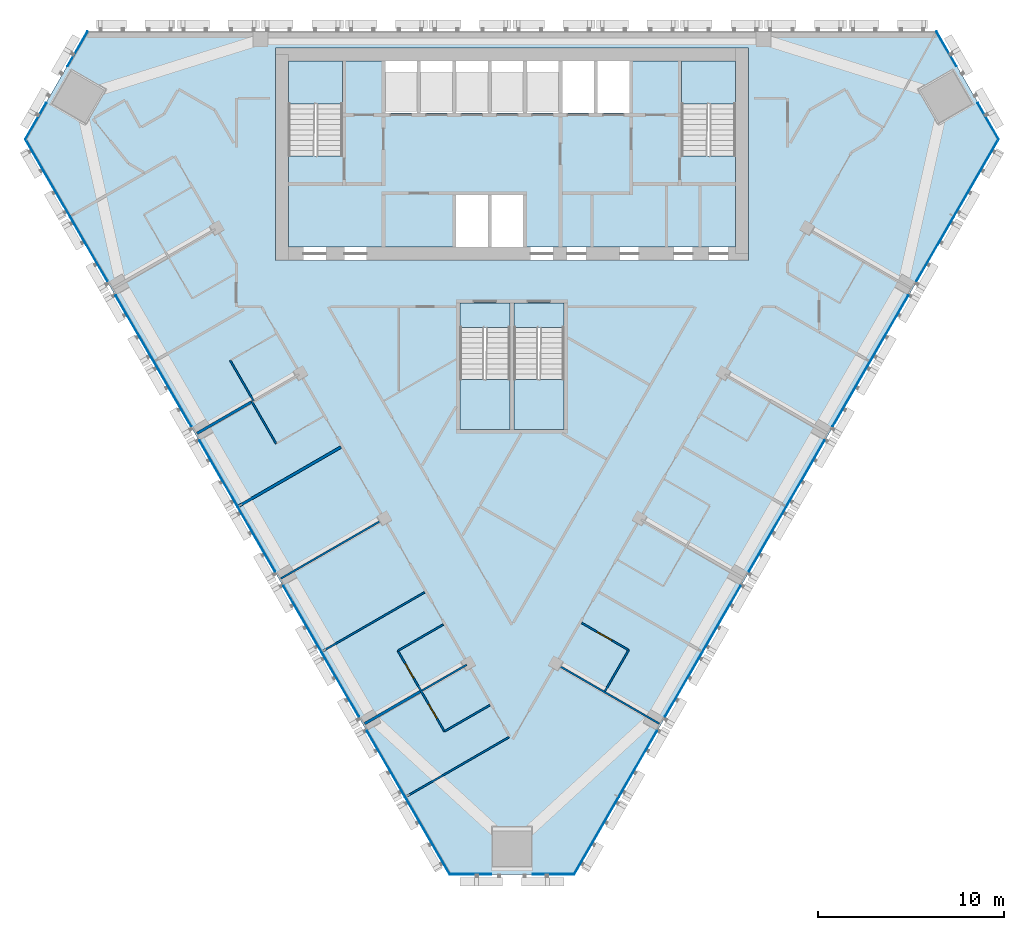
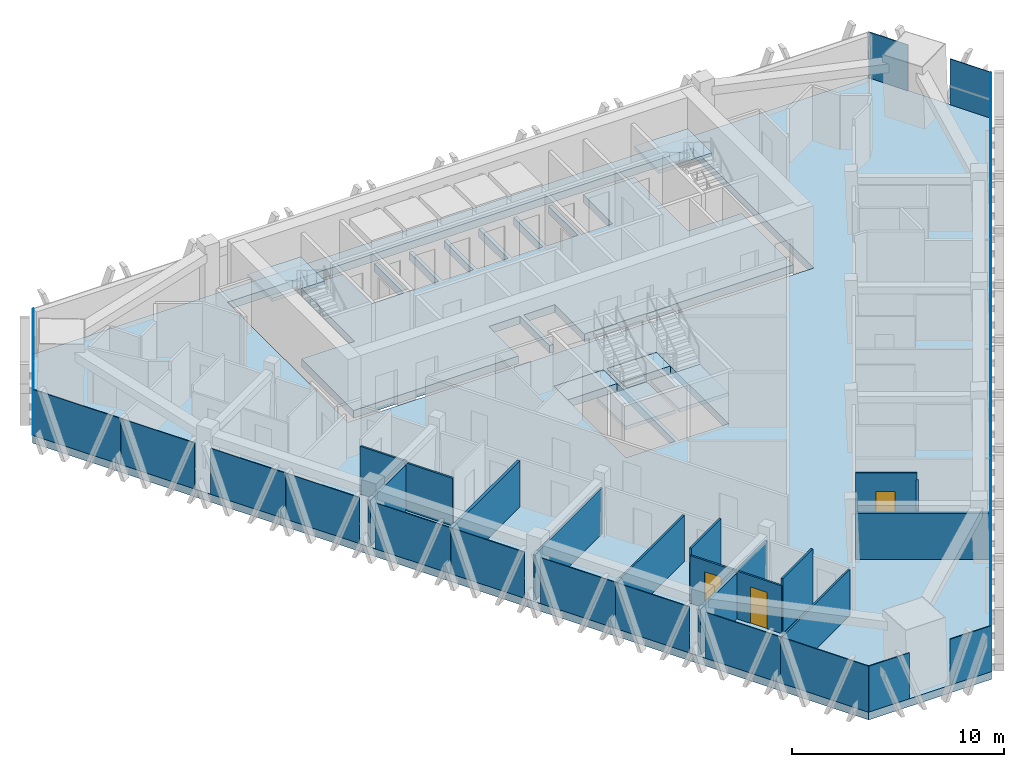
# One storey, part 8 of 16: 26 plates, 15 walls, 8 slabs, 3 doors, 3 openings, 9 elements without a shape of their own.
"""IFC4 building model written with IfcOpenShell, lengths in metres."""

from ifc_helpers import new_model, si_unit, direction, frame, frame_2d, origin, origin_2d, place, context, subcontext, project, spatial, polyline, rectangle, outline, extrude, material, layer, layer_set, type_object, element, fill, aggregate, save


model = new_model("IFC4")

# Units and contexts
model_context = context("Model", 3, precision=1e-05, world=origin(), true_north=direction((0.0, 1.0)))
body_context = subcontext(model_context, "Body", "Model", "MODEL_VIEW")
ifc_project = project(units=[si_unit("LENGTHUNIT", "METRE"), si_unit("AREAUNIT", "SQUARE_METRE"), si_unit("VOLUMEUNIT", "CUBIC_METRE"), si_unit("PLANEANGLEUNIT", "RADIAN"), si_unit("MASSUNIT", "GRAM", prefix="KILO")], contexts=[model_context])

# Site, building, storey
site_placement = place(None, origin())
site = spatial("IfcSite", under=ifc_project, at=site_placement, CompositionType="ELEMENT")
building_placement = place(site_placement, origin())
building = spatial("IfcBuilding", under=site, at=building_placement, Name="Altiplano Prism Tower", CompositionType="ELEMENT")
storey_placement = place(building_placement, frame((0.0, 0.0, 181.800048828125)))
storey = spatial("IfcBuildingStorey", under=building, at=storey_placement, Name="L47", CompositionType="ELEMENT", Elevation=181.800048828125)

# Curtain wall, plates
ifc_material_1 = material(Name="Aluminium and glass", Category="aluminium")
ifc_layer_1 = layer(ifc_material_1, 0.280029296875)
ifc_layer_set_1 = layer_set([ifc_layer_1], Name="Aluminium and glass")
curtain_wall_type = type_object("IfcCurtainWallType", Name="CW1 typical co-living unitised curtain wall", PredefinedType="NOTDEFINED", material=ifc_layer_set_1)
curtain_wall_1_placement = place(storey_placement, origin())
curtain_wall_1 = element("IfcCurtainWall", 1, at=curtain_wall_1_placement, inside=storey, type_object=curtain_wall_type, Name="CW1 curtain wall north-west chamfer L47", PredefinedType="NOTDEFINED")
ifc_material_2 = material(Name="Clear glass", Category="glass")
ifc_layer_2 = layer(ifc_material_2, 0.0400390625)
ifc_layer_set_2 = layer_set([ifc_layer_2], Name="Clear glass")
plate_type = type_object("IfcPlateType", Name="CW1 insulated glass unit 40", PredefinedType="CURTAIN_PANEL", material=ifc_layer_set_2)
plate_1_placement = place(storey_placement, frame((61.67236328125, 104.052490234375, 0.0), z_axis=(0.0, 0.0, 1.0), x_axis=(-0.499999911623, -0.866025454809, 0.0)))
plate_1 = element("IfcPlate", 2, at=plate_1_placement, type_object=plate_type, Name="CW1 panel", PredefinedType="CURTAIN_PANEL", context=body_context, shape_type="SweptSolid", body=[
    extrude(rectangle(XDim=2.1552734375, YDim=0.0400390625, at=origin_2d()), origin(), (0.0, 0.0, 1.0), 2.64990234375),
])
plate_2_placement = place(storey_placement, frame((59.4296875, 100.168212890625, 0.0), z_axis=(0.0, 0.0, 1.0), x_axis=(-0.499999911623, -0.866025454809, 0.0)))
plate_2 = element("IfcPlate", 3, at=plate_2_placement, type_object=plate_type, Name="CW1 panel", PredefinedType="CURTAIN_PANEL", context=body_context, shape_type="SweptSolid", body=[
    extrude(rectangle(XDim=2.235107421875, YDim=0.0400390625, at=origin_2d()), origin(), (0.0, 0.0, 1.0), 2.64990234375),
])
aggregate(curtain_wall_1, [plate_1, plate_2])

curtain_wall_2_placement = place(storey_placement, origin())
curtain_wall_2 = element("IfcCurtainWall", 4, at=curtain_wall_2_placement, inside=storey, type_object=curtain_wall_type, Name="CW1 curtain wall south-west face L47", PredefinedType="NOTDEFINED")
plate_3_placement = place(storey_placement, frame((60.0693359375, 97.135986328125, 0.0), z_axis=(0.0, 0.0, 1.0), x_axis=(0.499999990871, -0.866025409055, 0.0)))
plate_3 = element("IfcPlate", 5, at=plate_3_placement, type_object=plate_type, Name="CW1 panel", PredefinedType="CURTAIN_PANEL", context=body_context, shape_type="SweptSolid", body=[
    extrude(rectangle(XDim=4.793701171875, YDim=0.0400390625, at=origin_2d()), origin(), (0.0, 0.0, 1.0), 2.64990234375),
])
plate_4_placement = place(storey_placement, frame((62.275390625, 93.31494140625, 0.0), z_axis=(0.0, 0.0, 1.0), x_axis=(0.499999990871, -0.866025409055, 0.0)))
plate_4 = element("IfcPlate", 6, at=plate_4_placement, type_object=plate_type, Name="CW1 panel", PredefinedType="CURTAIN_PANEL", context=body_context, shape_type="SweptSolid", body=[
    extrude(rectangle(XDim=4.010498046875, YDim=0.0400390625, at=origin_2d()), origin(), (0.0, 0.0, 1.0), 2.64990234375),
])
plate_5_placement = place(storey_placement, frame((64.74560546875, 89.036865234375, 0.0), z_axis=(0.0, 0.0, 1.0), x_axis=(0.499999990871, -0.866025409055, 0.0)))
plate_5 = element("IfcPlate", 7, at=plate_5_placement, type_object=plate_type, Name="CW1 panel", PredefinedType="CURTAIN_PANEL", context=body_context, shape_type="SweptSolid", body=[
    extrude(rectangle(XDim=4.08935546875, YDim=0.0400390625, at=origin_2d()), origin(), (0.0, 0.0, 1.0), 2.64990234375),
])
plate_6_placement = place(storey_placement, frame((66.775390625, 85.520751953125, 0.0), z_axis=(0.0, 0.0, 1.0), x_axis=(0.499999990871, -0.866025409055, 0.0)))
plate_6 = element("IfcPlate", 8, at=plate_6_placement, type_object=plate_type, Name="CW1 panel", PredefinedType="CURTAIN_PANEL", context=body_context, shape_type="SweptSolid", body=[
    extrude(rectangle(XDim=4.010498046875, YDim=0.0400390625, at=origin_2d()), origin(), (0.0, 0.0, 1.0), 2.64990234375),
])
plate_7_placement = place(storey_placement, frame((69.24560546875, 81.24267578125, 0.0), z_axis=(0.0, 0.0, 1.0), x_axis=(0.499999990871, -0.866025409055, 0.0)))
plate_7 = element("IfcPlate", 9, at=plate_7_placement, type_object=plate_type, Name="CW1 panel", PredefinedType="CURTAIN_PANEL", context=body_context, shape_type="SweptSolid", body=[
    extrude(rectangle(XDim=4.08935546875, YDim=0.0400390625, at=origin_2d()), origin(), (0.0, 0.0, 1.0), 2.64990234375),
])
plate_8_placement = place(storey_placement, frame((71.275390625, 77.7265625, 0.0), z_axis=(0.0, 0.0, 1.0), x_axis=(0.499999990871, -0.866025409055, 0.0)))
plate_8 = element("IfcPlate", 10, at=plate_8_placement, type_object=plate_type, Name="CW1 panel", PredefinedType="CURTAIN_PANEL", context=body_context, shape_type="SweptSolid", body=[
    extrude(rectangle(XDim=4.010498046875, YDim=0.0400390625, at=origin_2d()), origin(), (0.0, 0.0, 1.0), 2.64990234375),
])
plate_9_placement = place(storey_placement, frame((73.74560546875, 73.4482421875, 0.0), z_axis=(0.0, 0.0, 1.0), x_axis=(0.499999990871, -0.866025409055, 0.0)))
plate_9 = element("IfcPlate", 11, at=plate_9_placement, type_object=plate_type, Name="CW1 panel", PredefinedType="CURTAIN_PANEL", context=body_context, shape_type="SweptSolid", body=[
    extrude(rectangle(XDim=4.08935546875, YDim=0.0400390625, at=origin_2d()), origin(), (0.0, 0.0, 1.0), 2.64990234375),
])
plate_10_placement = place(storey_placement, frame((75.775390625, 69.932373046875, 0.0), z_axis=(0.0, 0.0, 1.0), x_axis=(0.499999990871, -0.866025409055, 0.0)))
plate_10 = element("IfcPlate", 12, at=plate_10_placement, type_object=plate_type, Name="CW1 panel", PredefinedType="CURTAIN_PANEL", context=body_context, shape_type="SweptSolid", body=[
    extrude(rectangle(XDim=4.010498046875, YDim=0.0400390625, at=origin_2d()), origin(), (0.0, 0.0, 1.0), 2.64990234375),
])
plate_11_placement = place(storey_placement, frame((78.24560546875, 65.654052734375, 0.0), z_axis=(0.0, 0.0, 1.0), x_axis=(0.499999990871, -0.866025409055, 0.0)))
plate_11 = element("IfcPlate", 13, at=plate_11_placement, type_object=plate_type, Name="CW1 panel", PredefinedType="CURTAIN_PANEL", context=body_context, shape_type="SweptSolid", body=[
    extrude(rectangle(XDim=4.08935546875, YDim=0.0400390625, at=origin_2d()), origin(), (0.0, 0.0, 1.0), 2.64990234375),
])
plate_12_placement = place(storey_placement, frame((80.47119140625, 61.799072265625, 0.0), z_axis=(0.0, 0.0, 1.0), x_axis=(0.499999990871, -0.866025409055, 0.0)))
plate_12 = element("IfcPlate", 14, at=plate_12_placement, type_object=plate_type, Name="CW1 panel", PredefinedType="CURTAIN_PANEL", context=body_context, shape_type="SweptSolid", body=[
    extrude(rectangle(XDim=4.793701171875, YDim=0.0400390625, at=origin_2d()), origin(), (0.0, 0.0, 1.0), 2.64990234375),
])
aggregate(curtain_wall_2, [plate_3, plate_4, plate_5, plate_6, plate_7, plate_8, plate_9, plate_10, plate_11, plate_12])

curtain_wall_3_placement = place(storey_placement, origin())
curtain_wall_3 = element("IfcCurtainWall", 15, at=curtain_wall_3_placement, inside=storey, type_object=curtain_wall_type, Name="CW1 curtain wall south chamfer L47", PredefinedType="NOTDEFINED")
plate_13_placement = place(storey_placement, frame((82.77734375, 59.72900390625, 0.0), z_axis=(0.0, 0.0, 1.0), x_axis=(1.0, 0.0, 0.0)))
plate_13 = element("IfcPlate", 16, at=plate_13_placement, type_object=plate_type, Name="CW1 panel", PredefinedType="CURTAIN_PANEL", context=body_context, shape_type="SweptSolid", body=[
    extrude(rectangle(XDim=2.235107421875, YDim=0.0400390625, at=origin_2d()), origin(), (0.0, 0.0, 1.0), 2.64990234375),
])
plate_14_placement = place(storey_placement, frame((87.22265625, 59.72900390625, 0.0), z_axis=(0.0, 0.0, 1.0), x_axis=(1.0, 0.0, 0.0)))
plate_14 = element("IfcPlate", 17, at=plate_14_placement, type_object=plate_type, Name="CW1 panel", PredefinedType="CURTAIN_PANEL", context=body_context, shape_type="SweptSolid", body=[
    extrude(rectangle(XDim=2.235107421875, YDim=0.0400390625, at=origin_2d()), origin(), (0.0, 0.0, 1.0), 2.64990234375),
])
aggregate(curtain_wall_3, [plate_13, plate_14])

curtain_wall_4_placement = place(storey_placement, origin())
curtain_wall_4 = element("IfcCurtainWall", 18, at=curtain_wall_4_placement, inside=storey, type_object=curtain_wall_type, Name="CW1 curtain wall south-east face L47", PredefinedType="NOTDEFINED")
plate_15_placement = place(storey_placement, frame((89.52880859375, 61.799072265625, 0.0), z_axis=(0.0, 0.0, 1.0), x_axis=(0.499999990871, 0.866025409055, 0.0)))
plate_15 = element("IfcPlate", 19, at=plate_15_placement, type_object=plate_type, Name="CW1 panel", PredefinedType="CURTAIN_PANEL", context=body_context, shape_type="SweptSolid", body=[
    extrude(rectangle(XDim=4.793701171875, YDim=0.0400390625, at=origin_2d()), origin(), (0.0, 0.0, 1.0), 2.64990234375),
])
plate_16_placement = place(storey_placement, frame((91.75439453125, 65.654052734375, 0.0), z_axis=(0.0, 0.0, 1.0), x_axis=(0.499999990871, 0.866025409055, 0.0)))
plate_16 = element("IfcPlate", 20, at=plate_16_placement, type_object=plate_type, Name="CW1 panel", PredefinedType="CURTAIN_PANEL", context=body_context, shape_type="SweptSolid", body=[
    extrude(rectangle(XDim=4.08935546875, YDim=0.0400390625, at=origin_2d()), origin(), (0.0, 0.0, 1.0), 2.64990234375),
])
plate_17_placement = place(storey_placement, frame((94.224609375, 69.932373046875, 0.0), z_axis=(0.0, 0.0, 1.0), x_axis=(0.499999990871, 0.866025409055, 0.0)))
plate_17 = element("IfcPlate", 21, at=plate_17_placement, type_object=plate_type, Name="CW1 panel", PredefinedType="CURTAIN_PANEL", context=body_context, shape_type="SweptSolid", body=[
    extrude(rectangle(XDim=4.010498046875, YDim=0.0400390625, at=origin_2d()), origin(), (0.0, 0.0, 1.0), 2.64990234375),
])
plate_18_placement = place(storey_placement, frame((96.25439453125, 73.4482421875, 0.0), z_axis=(0.0, 0.0, 1.0), x_axis=(0.499999990871, 0.866025409055, 0.0)))
plate_18 = element("IfcPlate", 22, at=plate_18_placement, type_object=plate_type, Name="CW1 panel", PredefinedType="CURTAIN_PANEL", context=body_context, shape_type="SweptSolid", body=[
    extrude(rectangle(XDim=4.08935546875, YDim=0.0400390625, at=origin_2d()), origin(), (0.0, 0.0, 1.0), 2.64990234375),
])
plate_19_placement = place(storey_placement, frame((98.724609375, 77.7265625, 0.0), z_axis=(0.0, 0.0, 1.0), x_axis=(0.499999990871, 0.866025409055, 0.0)))
plate_19 = element("IfcPlate", 23, at=plate_19_placement, type_object=plate_type, Name="CW1 panel", PredefinedType="CURTAIN_PANEL", context=body_context, shape_type="SweptSolid", body=[
    extrude(rectangle(XDim=4.010498046875, YDim=0.0400390625, at=origin_2d()), origin(), (0.0, 0.0, 1.0), 2.64990234375),
])
plate_20_placement = place(storey_placement, frame((100.75439453125, 81.24267578125, 0.0), z_axis=(0.0, 0.0, 1.0), x_axis=(0.499999990871, 0.866025409055, 0.0)))
plate_20 = element("IfcPlate", 24, at=plate_20_placement, type_object=plate_type, Name="CW1 panel", PredefinedType="CURTAIN_PANEL", context=body_context, shape_type="SweptSolid", body=[
    extrude(rectangle(XDim=4.08935546875, YDim=0.0400390625, at=origin_2d()), origin(), (0.0, 0.0, 1.0), 2.64990234375),
])
plate_21_placement = place(storey_placement, frame((103.224609375, 85.520751953125, 0.0), z_axis=(0.0, 0.0, 1.0), x_axis=(0.499999990871, 0.866025409055, 0.0)))
plate_21 = element("IfcPlate", 25, at=plate_21_placement, type_object=plate_type, Name="CW1 panel", PredefinedType="CURTAIN_PANEL", context=body_context, shape_type="SweptSolid", body=[
    extrude(rectangle(XDim=4.010498046875, YDim=0.0400390625, at=origin_2d()), origin(), (0.0, 0.0, 1.0), 2.64990234375),
])
plate_22_placement = place(storey_placement, frame((105.25439453125, 89.036865234375, 0.0), z_axis=(0.0, 0.0, 1.0), x_axis=(0.499999990871, 0.866025409055, 0.0)))
plate_22 = element("IfcPlate", 26, at=plate_22_placement, type_object=plate_type, Name="CW1 panel", PredefinedType="CURTAIN_PANEL", context=body_context, shape_type="SweptSolid", body=[
    extrude(rectangle(XDim=4.08935546875, YDim=0.0400390625, at=origin_2d()), origin(), (0.0, 0.0, 1.0), 2.64990234375),
])
plate_23_placement = place(storey_placement, frame((107.724609375, 93.31494140625, 0.0), z_axis=(0.0, 0.0, 1.0), x_axis=(0.499999990871, 0.866025409055, 0.0)))
plate_23 = element("IfcPlate", 27, at=plate_23_placement, type_object=plate_type, Name="CW1 panel", PredefinedType="CURTAIN_PANEL", context=body_context, shape_type="SweptSolid", body=[
    extrude(rectangle(XDim=4.010498046875, YDim=0.0400390625, at=origin_2d()), origin(), (0.0, 0.0, 1.0), 2.64990234375),
])
plate_24_placement = place(storey_placement, frame((109.9306640625, 97.135986328125, 0.0), z_axis=(0.0, 0.0, 1.0), x_axis=(0.499999990871, 0.866025409055, 0.0)))
plate_24 = element("IfcPlate", 28, at=plate_24_placement, type_object=plate_type, Name="CW1 panel", PredefinedType="CURTAIN_PANEL", context=body_context, shape_type="SweptSolid", body=[
    extrude(rectangle(XDim=4.793701171875, YDim=0.0400390625, at=origin_2d()), origin(), (0.0, 0.0, 1.0), 2.64990234375),
])
aggregate(curtain_wall_4, [plate_15, plate_16, plate_17, plate_18, plate_19, plate_20, plate_21, plate_22, plate_23, plate_24])

curtain_wall_5_placement = place(storey_placement, origin())
curtain_wall_5 = element("IfcCurtainWall", 29, at=curtain_wall_5_placement, inside=storey, type_object=curtain_wall_type, Name="CW1 curtain wall north-east chamfer L47", PredefinedType="NOTDEFINED")
plate_25_placement = place(storey_placement, frame((110.5703125, 100.168212890625, 0.0), z_axis=(0.0, 0.0, 1.0), x_axis=(-0.499999911623, 0.866025454809, 0.0)))
plate_25 = element("IfcPlate", 30, at=plate_25_placement, type_object=plate_type, Name="CW1 panel", PredefinedType="CURTAIN_PANEL", context=body_context, shape_type="SweptSolid", body=[
    extrude(rectangle(XDim=2.235107421875, YDim=0.0400390625, at=origin_2d()), origin(), (0.0, 0.0, 1.0), 2.64990234375),
])
plate_26_placement = place(storey_placement, frame((108.32763671875, 104.052490234375, 0.0), z_axis=(0.0, 0.0, 1.0), x_axis=(-0.499999911623, 0.866025454809, 0.0)))
plate_26 = element("IfcPlate", 31, at=plate_26_placement, type_object=plate_type, Name="CW1 panel", PredefinedType="CURTAIN_PANEL", context=body_context, shape_type="SweptSolid", body=[
    extrude(rectangle(XDim=2.1552734375, YDim=0.0400390625, at=origin_2d()), origin(), (0.0, 0.0, 1.0), 2.64990234375),
])
aggregate(curtain_wall_5, [plate_25, plate_26])

# Slabs
ifc_material_3 = material(Name="Concrete C40/50", Category="concrete")
ifc_layer_3 = layer(ifc_material_3, 0.449951171875)
ifc_layer_set_3 = layer_set([ifc_layer_3], Name="Concrete C40/50")
slab_type_1 = type_object("IfcSlabType", Name="Core floor slab 450", PredefinedType="FLOOR", material=ifc_layer_set_3)
slab_1_placement = place(storey_placement, frame((0.0, 0.0, -0.449951171875)))
element("IfcSlab", 32, at=slab_1_placement, inside=storey, type_object=slab_type_1, Name="Core floor slab L47", PredefinedType="FLOOR", context=body_context, shape_type="SweptSolid", body=[
    extrude(outline(polyline([(97.0, 98.31005859375), (94.10009765625, 98.31005859375), (94.10009765625, 103.39990234375), (91.300048828125, 103.39990234375), (91.300048828125, 100.60009765625), (89.60009765625, 100.60009765625), (89.60009765625, 103.39990234375), (89.39990234375, 103.39990234375), (89.39990234375, 100.60009765625), (87.699951171875, 100.60009765625), (87.699951171875, 103.39990234375), (87.5, 103.39990234375), (87.5, 100.60009765625), (85.800048828125, 100.60009765625), (85.800048828125, 103.39990234375), (85.60009765625, 103.39990234375), (85.60009765625, 100.60009765625), (83.89990234375, 100.60009765625), (83.89990234375, 103.39990234375), (83.699951171875, 103.39990234375), (83.699951171875, 100.60009765625), (82.0, 100.60009765625), (82.0, 103.39990234375), (81.800048828125, 103.39990234375), (81.800048828125, 100.60009765625), (80.10009765625, 100.60009765625), (80.10009765625, 103.39990234375), (79.89990234375, 103.39990234375), (79.89990234375, 100.60009765625), (78.199951171875, 100.60009765625), (78.199951171875, 103.39990234375), (75.89990234375, 103.39990234375), (75.89990234375, 98.31005859375), (73.0, 98.31005859375), (73.0, 93.39990234375), (82.0, 93.39990234375), (82.0, 96.199951171875), (83.699951171875, 96.199951171875), (83.699951171875, 93.39990234375), (83.89990234375, 93.39990234375), (83.89990234375, 96.199951171875), (85.60009765625, 96.199951171875), (85.60009765625, 93.39990234375), (97.0, 93.39990234375), (97.0, 98.31005859375)])), origin(), (0.0, 0.0, 1.0), 0.449951171875),
])
slab_2_placement = place(storey_placement, frame((0.0, 0.0, -0.449951171875)))
element("IfcSlab", 33, at=slab_2_placement, inside=storey, type_object=slab_type_1, Name="Stair 3A landing slab L47", PredefinedType="FLOOR", context=body_context, shape_type="SweptSolid", body=[
    extrude(outline(polyline([(82.199951171875, 89.096923828125), (84.89990234375, 89.096923828125), (84.89990234375, 90.39990234375), (82.199951171875, 90.39990234375), (82.199951171875, 89.096923828125)])), origin(), (0.0, 0.0, 1.0), 0.449951171875),
])
slab_3_placement = place(storey_placement, frame((0.0, 0.0, -0.449951171875)))
element("IfcSlab", 34, at=slab_3_placement, inside=storey, type_object=slab_type_1, Name="Stair 3B landing slab L47", PredefinedType="FLOOR", context=body_context, shape_type="SweptSolid", body=[
    extrude(outline(polyline([(85.10009765625, 89.096923828125), (87.800048828125, 89.096923828125), (87.800048828125, 90.39990234375), (85.10009765625, 90.39990234375), (85.10009765625, 89.096923828125)])), origin(), (0.0, 0.0, 1.0), 0.449951171875),
])
ifc_layer_4 = layer(ifc_material_3, 0.449951171875)
ifc_layer_set_4 = layer_set([ifc_layer_4], Name="Concrete C40/50")
slab_type_2 = type_object("IfcSlabType", Name="Post-tensioned flat slab 450", PredefinedType="FLOOR", material=ifc_layer_set_4)
slab_4_placement = place(storey_placement, frame((0.0, 0.0, -0.449951171875)))
element("IfcSlab", 35, at=slab_4_placement, inside=storey, type_object=slab_type_2, Name="Floor slab L47", PredefinedType="FLOOR", context=body_context, shape_type="SweptSolid", body=[
    extrude(outline(polyline([(81.65478515625, 59.708984375), (58.85107421875, 99.2060546875), (62.1962890625, 105.0), (107.8037109375, 105.0), (111.14892578125, 99.2060546875), (88.34521484375, 59.708984375), (81.65478515625, 59.708984375)]), holes=[polyline([(72.300048828125, 104.10009765625), (72.300048828125, 92.699951171875), (97.699951171875, 92.699951171875), (97.699951171875, 104.10009765625), (72.300048828125, 104.10009765625)]), polyline([(84.89990234375, 90.39990234375), (82.199951171875, 90.39990234375), (82.199951171875, 83.60009765625), (84.89990234375, 83.60009765625), (84.89990234375, 90.39990234375)]), polyline([(87.800048828125, 83.60009765625), (87.800048828125, 90.39990234375), (85.10009765625, 90.39990234375), (85.10009765625, 83.60009765625), (87.800048828125, 83.60009765625)])]), origin(), (0.0, 0.0, 1.0), 0.449951171875),
])

# Stair, slab
stair_type_1 = type_object("IfcStairType", Name="Exit stair 1400", PredefinedType="HALF_TURN_STAIR", material=ifc_material_3)
stair_1_placement = place(storey_placement, origin())
stair_1 = element("IfcStair", 36, at=stair_1_placement, inside=storey, type_object=stair_type_1, Name="L47 Exit Stair 1", PredefinedType="HALF_TURN_STAIR")
ifc_layer_5 = layer(ifc_material_3, 0.199951171875)
ifc_layer_set_5 = layer_set([ifc_layer_5], Name="Concrete C40/50")
slab_type_3 = type_object("IfcSlabType", Name="Stair landing 200", PredefinedType="LANDING", material=ifc_layer_set_5)
slab_5_placement = place(storey_placement, frame((0.0, 0.0, 1.599853515625)))
slab_5 = element("IfcSlab", 37, at=slab_5_placement, type_object=slab_type_3, Name="ST1 landing 1", PredefinedType="LANDING", context=body_context, shape_type="SweptSolid", body=[
    extrude(outline(polyline([(75.89990234375, 101.096923828125), (75.89990234375, 103.39990234375), (73.0, 103.39990234375), (73.0, 101.096923828125), (75.89990234375, 101.096923828125)])), origin(), (0.0, 0.0, 1.0), 0.2001953125),
])
aggregate(stair_1, [slab_5])

stair_2_placement = place(storey_placement, origin())
stair_2 = element("IfcStair", 38, at=stair_2_placement, inside=storey, type_object=stair_type_1, Name="L47 Exit Stair 2", PredefinedType="HALF_TURN_STAIR")
slab_6_placement = place(storey_placement, frame((0.0, 0.0, 1.599853515625)))
slab_6 = element("IfcSlab", 39, at=slab_6_placement, type_object=slab_type_3, Name="ST2 landing 1", PredefinedType="LANDING", context=body_context, shape_type="SweptSolid", body=[
    extrude(outline(polyline([(97.0, 101.096923828125), (97.0, 103.39990234375), (94.10009765625, 103.39990234375), (94.10009765625, 101.096923828125), (97.0, 101.096923828125)])), origin(), (0.0, 0.0, 1.0), 0.2001953125),
])
aggregate(stair_2, [slab_6])

stair_type_2 = type_object("IfcStairType", Name="Exit stair 1300", PredefinedType="HALF_TURN_STAIR", material=ifc_material_3)
stair_3_placement = place(storey_placement, origin())
stair_3 = element("IfcStair", 40, at=stair_3_placement, inside=storey, type_object=stair_type_2, Name="L47 Exit Stair 3A", PredefinedType="HALF_TURN_STAIR")
slab_7_placement = place(storey_placement, frame((0.0, 0.0, 1.599853515625)))
slab_7 = element("IfcSlab", 41, at=slab_7_placement, type_object=slab_type_3, Name="ST3A landing 1", PredefinedType="LANDING", context=body_context, shape_type="SweptSolid", body=[
    extrude(outline(polyline([(82.199951171875, 86.302978515625), (82.199951171875, 83.60009765625), (84.89990234375, 83.60009765625), (84.89990234375, 86.302978515625), (82.199951171875, 86.302978515625)])), origin(), (0.0, 0.0, 1.0), 0.2001953125),
])
aggregate(stair_3, [slab_7])

stair_4_placement = place(storey_placement, origin())
stair_4 = element("IfcStair", 42, at=stair_4_placement, inside=storey, type_object=stair_type_2, Name="L47 Exit Stair 3B", PredefinedType="HALF_TURN_STAIR")
slab_8_placement = place(storey_placement, frame((0.0, 0.0, 1.599853515625)))
slab_8 = element("IfcSlab", 43, at=slab_8_placement, type_object=slab_type_3, Name="ST3B landing 1", PredefinedType="LANDING", context=body_context, shape_type="SweptSolid", body=[
    extrude(outline(polyline([(85.10009765625, 86.302978515625), (85.10009765625, 83.60009765625), (87.800048828125, 83.60009765625), (87.800048828125, 86.302978515625), (85.10009765625, 86.302978515625)])), origin(), (0.0, 0.0, 1.0), 0.2001953125),
])
aggregate(stair_4, [slab_8])

# Walls
ifc_material_4 = material(Name="Plasterboard on steel stud", Category="steel")
ifc_layer_6 = layer(ifc_material_4, 0.10009765625)
ifc_layer_set_6 = layer_set([ifc_layer_6], Name="Plasterboard on steel stud")
wall_type_1 = type_object("IfcWallType", Name="Partition 100 unit", PredefinedType="PARTITIONING", material=ifc_layer_set_6)
wall_1_placement = place(storey_placement, frame((71.12060546875, 85.154541015625, 0.0), z_axis=(0.0, 0.0, 1.0), x_axis=(-0.500004234368, 0.866022959057, 0.0)))
element("IfcWall", 44, at=wall_1_placement, inside=storey, type_object=wall_type_1, Name="Partition P02 L47 050", PredefinedType="PARTITIONING", context=body_context, shape_type="SweptSolid", body=[
    extrude(rectangle(XDim=2.5, YDim=0.10009765625, at=frame_2d((1.25, 0.0))), origin(), (0.0, 0.0, 1.0), 2.75),
])
wall_2_placement = place(storey_placement, frame((72.334228515625, 82.85302734375, 0.0), z_axis=(0.0, 0.0, 1.0), x_axis=(-0.500047596559, 0.865997922154, 0.0)))
element("IfcWall", 45, at=wall_2_placement, inside=storey, type_object=wall_type_1, Name="Partition P02 L47 055", PredefinedType="PARTITIONING", context=body_context, shape_type="SweptSolid", body=[
    extrude(rectangle(XDim=2.599853515625, YDim=0.10009765625, at=frame_2d((1.2998046875, 0.0))), origin(), (0.0, 0.0, 1.0), 2.75),
])

# Wall, openings, doors
wall_3_placement = place(storey_placement, frame((81.37060546875, 67.401123046875, 0.0), z_axis=(0.0, 0.0, 1.0), x_axis=(-0.500004234368, 0.866022959057, 0.0)))
wall_3 = element("IfcWall", 46, at=wall_3_placement, inside=storey, type_object=wall_type_1, Name="Partition P02 L47 059", PredefinedType="PARTITIONING", context=body_context, shape_type="SweptSolid", body=[
    extrude(rectangle(XDim=5.0, YDim=0.10009765625, at=frame_2d((2.5, 0.0))), origin(), (0.0, 0.0, 1.0), 2.75),
])
opening_1_placement = place(wall_3_placement, frame((3.300048828125, 0.0, 0.0)))
opening_1 = element("IfcOpeningElement", 47, at=opening_1_placement, cuts=wall_3, Name="Opening D1667", PredefinedType="OPENING", context=body_context, shape_type="SweptSolid", body=[
    extrude(rectangle(XDim=0.89990234375, YDim=2.10009765625, at=frame_2d((0.449951171875, 1.050048828125))), frame((0.0, 0.060546875, 0.0), z_axis=(0.0, -1.0, 0.0), x_axis=(1.0, 0.0, 0.0)), (0.0, 0.0, 1.0), 0.12109375),
])
opening_2_placement = place(wall_3_placement, frame((0.800048828125, 0.0, 0.0)))
opening_2 = element("IfcOpeningElement", 48, at=opening_2_placement, cuts=wall_3, Name="Opening D1669", PredefinedType="OPENING", context=body_context, shape_type="SweptSolid", body=[
    extrude(rectangle(XDim=0.89990234375, YDim=2.10009765625, at=frame_2d((0.449951171875, 1.050048828125))), frame((0.0, 0.060546875, 0.0), z_axis=(0.0, -1.0, 0.0), x_axis=(1.0, 0.0, 0.0)), (0.0, 0.0, 1.0), 0.12109375),
])
ifc_material_5 = material(Name="Timber", Category="wood")
door_type = type_object("IfcDoorType", Name="Ensuite door 900 x 2100", OperationType="NOTDEFINED", PredefinedType="NOTDEFINED", material=ifc_material_5)
door_1_placement = place(opening_1_placement, origin())
door_1 = element("IfcDoor", 49, at=door_1_placement, inside=storey, type_object=door_type, Name="Door D1667", OperationType="SINGLE_SWING_RIGHT", OverallHeight=2.10009765625, OverallWidth=0.89990234375, PredefinedType="NOTDEFINED", context=body_context, shape_type="SweptSolid", body=[
    extrude(rectangle(XDim=0.89990234375, YDim=2.10009765625, at=frame_2d((0.449951171875, 1.050048828125))), frame((0.0, 0.02490234375, 0.0), z_axis=(0.0, -1.0, 0.0), x_axis=(1.0, 0.0, 0.0)), (0.0, 0.0, 1.0), 0.050048828125),
])
fill(opening_1, door_1)
door_2_placement = place(opening_2_placement, origin())
door_2 = element("IfcDoor", 50, at=door_2_placement, inside=storey, type_object=door_type, Name="Door D1669", OperationType="SINGLE_SWING_RIGHT", OverallHeight=2.10009765625, OverallWidth=0.89990234375, PredefinedType="NOTDEFINED", context=body_context, shape_type="SweptSolid", body=[
    extrude(rectangle(XDim=0.89990234375, YDim=2.10009765625, at=frame_2d((0.449951171875, 1.050048828125))), frame((0.0, 0.02490234375, 0.0), z_axis=(0.0, -1.0, 0.0), x_axis=(1.0, 0.0, 0.0)), (0.0, 0.0, 1.0), 0.050048828125),
])
fill(opening_2, door_2)

# Walls
for number, where, z_axis, x_axis, name in (
    (51, (78.87060546875, 71.731201171875, 0.0), (0.0, 0.0, 1.0), (0.866011447264, 0.500024172624, 0.0), "Partition P02 L47 060"),
    (52, (83.817138671875, 68.8134765625, 0.0), (0.0, 0.0, 1.0), (-0.866048868473, -0.499959355765, 0.0), "Partition P02 L47 063"),
):
    element("IfcWall", number, at=place(storey_placement, frame(where, z_axis=z_axis, x_axis=x_axis)), inside=storey, type_object=wall_type_1, Name=name, PredefinedType="PARTITIONING", context=body_context, shape_type="SweptSolid", body=[
        extrude(rectangle(XDim=2.824951171875, YDim=0.10009765625, at=frame_2d((1.41259765625, 0.0))), origin(), (0.0, 0.0, 1.0), 3.14990234375),
    ])

# Wall, opening, door
wall_4_placement = place(storey_placement, frame((88.732666015625, 73.230224609375, 0.0), z_axis=(0.0, 0.0, 1.0), x_axis=(0.866046596414, -0.499963291492, 0.0)))
wall_4 = element("IfcWall", 53, at=wall_4_placement, inside=storey, type_object=wall_type_1, Name="Partition P02 L47 066", PredefinedType="PARTITIONING", context=body_context, shape_type="SweptSolid", body=[
    extrude(rectangle(XDim=2.925048828125, YDim=0.10009765625, at=frame_2d((1.46240234375, 0.0))), origin(), (0.0, 0.0, 1.0), 3.14990234375),
])
opening_3_placement = place(wall_4_placement, frame((0.97509765625, 0.0, 0.0)))
opening_3 = element("IfcOpeningElement", 54, at=opening_3_placement, cuts=wall_4, Name="Opening D1672", PredefinedType="OPENING", context=body_context, shape_type="SweptSolid", body=[
    extrude(rectangle(XDim=0.89990234375, YDim=2.10009765625, at=frame_2d((0.449951171875, 1.050048828125))), frame((0.0, 0.060546875, 0.0), z_axis=(0.0, -1.0, 0.0), x_axis=(1.0, 0.0, 0.0)), (0.0, 0.0, 1.0), 0.12109375),
])
door_3_placement = place(opening_3_placement, origin())
door_3 = element("IfcDoor", 55, at=door_3_placement, inside=storey, type_object=door_type, Name="Door D1672", OperationType="SINGLE_SWING_LEFT", OverallHeight=2.10009765625, OverallWidth=0.89990234375, PredefinedType="NOTDEFINED", context=body_context, shape_type="SweptSolid", body=[
    extrude(rectangle(XDim=0.89990234375, YDim=2.10009765625, at=frame_2d((0.449951171875, 1.050048828125))), frame((0.0, 0.02490234375, 0.0), z_axis=(0.0, -1.0, 0.0), x_axis=(1.0, 0.0, 0.0)), (0.0, 0.0, 1.0), 0.050048828125),
])
fill(opening_3, door_3)

# Walls
wall_5_placement = place(storey_placement, frame((91.265869140625, 71.767822265625, 0.0), z_axis=(0.0, 0.0, 1.0), x_axis=(-0.499948979701, -0.866054858364, 0.0)))
element("IfcWall", 56, at=wall_5_placement, inside=storey, type_object=wall_type_1, Name="Partition P02 L47 067", PredefinedType="PARTITIONING", context=body_context, shape_type="SweptSolid", body=[
    extrude(rectangle(XDim=2.550048828125, YDim=0.10009765625, at=frame_2d((1.27490234375, 0.0))), origin(), (0.0, 0.0, 1.0), 2.75),
])
ifc_layer_7 = layer(ifc_material_4, 0.10009765625)
ifc_layer_set_7 = layer_set([ifc_layer_7], Name="Plasterboard on steel stud")
wall_type_2 = type_object("IfcWallType", Name="Partition 100 wet", PredefinedType="PARTITIONING", material=ifc_layer_set_7)
wall_6_placement = place(storey_placement, frame((72.589599609375, 75.6103515625, 0.0), z_axis=(0.0, 0.0, 1.0), x_axis=(0.866015887322, 0.500016482634, 0.0)))
element("IfcWall", 57, at=wall_6_placement, inside=storey, type_object=wall_type_2, Name="Partition P03 L47 057", PredefinedType="PARTITIONING", context=body_context, shape_type="SweptSolid", body=[
    extrude(rectangle(XDim=6.324951171875, YDim=0.10009765625, at=frame_2d((3.16259765625, 0.0))), origin(), (0.0, 0.0, 1.0), 2.64990234375),
])
wall_7_placement = place(storey_placement, frame((74.822021484375, 71.703125, 0.0), z_axis=(0.0, 0.0, 1.0), x_axis=(0.866025401434, 0.500000004071, 0.0)))
element("IfcWall", 58, at=wall_7_placement, inside=storey, type_object=wall_type_2, Name="Partition P03 L47 058", PredefinedType="PARTITIONING", context=body_context, shape_type="SweptSolid", body=[
    extrude(rectangle(XDim=6.34521484375, YDim=0.10009765625, at=frame_2d((3.172607421875, 0.0))), origin(), (0.0, 0.0, 1.0), 2.64990234375),
])
wall_8_placement = place(storey_placement, frame((80.1640625, 69.591064453125, 0.0), z_axis=(0.0, 0.0, 1.0), x_axis=(0.865981921271, 0.50007530636, 0.0)))
element("IfcWall", 59, at=wall_8_placement, inside=storey, type_object=wall_type_2, Name="Partition P03 L47 062", PredefinedType="PARTITIONING", context=body_context, shape_type="SweptSolid", body=[
    extrude(rectangle(XDim=2.77490234375, YDim=0.10009765625, at=frame_2d((1.387451171875, 0.0))), origin(), (0.0, 0.0, 1.0), 2.75),
])
wall_9_placement = place(storey_placement, frame((79.32373046875, 63.906494140625, 0.0), z_axis=(0.0, 0.0, 1.0), x_axis=(0.866029389662, 0.499993096193, 0.0)))
element("IfcWall", 60, at=wall_9_placement, inside=storey, type_object=wall_type_2, Name="Partition P03 L47 064", PredefinedType="PARTITIONING", context=body_context, shape_type="SweptSolid", body=[
    extrude(rectangle(XDim=6.376953125, YDim=0.10009765625, at=frame_2d((3.1884765625, 0.0))), origin(), (0.0, 0.0, 1.0), 2.64990234375),
])
wall_10_placement = place(storey_placement, frame((92.910400390625, 67.816162109375, 0.0), z_axis=(0.0, 0.0, 1.0), x_axis=(-0.866032601554, 0.49998753289, 0.0)))
element("IfcWall", 61, at=wall_10_placement, inside=storey, type_object=wall_type_2, Name="Partition P03 L47 065", PredefinedType="PARTITIONING", context=body_context, shape_type="SweptSolid", body=[
    extrude(rectangle(XDim=6.324951171875, YDim=0.10009765625, at=frame_2d((3.16259765625, 0.0))), origin(), (0.0, 0.0, 1.0), 2.64990234375),
])
ifc_layer_8 = layer(ifc_material_4, 0.14990234375)
ifc_layer_set_8 = layer_set([ifc_layer_8], Name="Plasterboard on steel stud")
wall_type_3 = type_object("IfcWallType", Name="Partition 150 party", PredefinedType="PARTITIONING", material=ifc_layer_set_8)
wall_11_placement = place(storey_placement, frame((68.089599609375, 83.404541015625, 0.0), z_axis=(0.0, 0.0, 1.0), x_axis=(0.866038511948, 0.499977295307, 0.0)))
element("IfcWall", 62, at=wall_11_placement, inside=storey, type_object=wall_type_3, Name="Partition P01 L47 052", PredefinedType="PARTITIONING", context=body_context, shape_type="SweptSolid", body=[
    extrude(rectangle(XDim=3.400146484375, YDim=0.14990234375, at=frame_2d((1.7001953125, 0.0))), origin(), (0.0, 0.0, 1.0), 2.64990234375),
])
wall_12_placement = place(storey_placement, frame((70.322021484375, 79.497314453125, 0.0), z_axis=(0.0, 0.0, 1.0), x_axis=(0.866025401434, 0.500000004071, 0.0)))
element("IfcWall", 63, at=wall_12_placement, inside=storey, type_object=wall_type_3, Name="Partition P01 L47 056", PredefinedType="PARTITIONING", context=body_context, shape_type="SweptSolid", body=[
    extrude(rectangle(XDim=6.34521484375, YDim=0.14990234375, at=frame_2d((3.172607421875, 0.0))), origin(), (0.0, 0.0, 1.0), 2.64990234375),
])
wall_13_placement = place(storey_placement, frame((77.089599609375, 67.816162109375, 0.0), z_axis=(0.0, 0.0, 1.0), x_axis=(0.866013532718, 0.500020560727, 0.0)))
element("IfcWall", 64, at=wall_13_placement, inside=storey, type_object=wall_type_3, Name="Partition P01 L47 061", PredefinedType="PARTITIONING", context=body_context, shape_type="SweptSolid", body=[
    extrude(rectangle(XDim=3.449951171875, YDim=0.14990234375, at=frame_2d((1.72509765625, 0.0))), origin(), (0.0, 0.0, 1.0), 2.64990234375),
])

save(model, "model.ifc")
